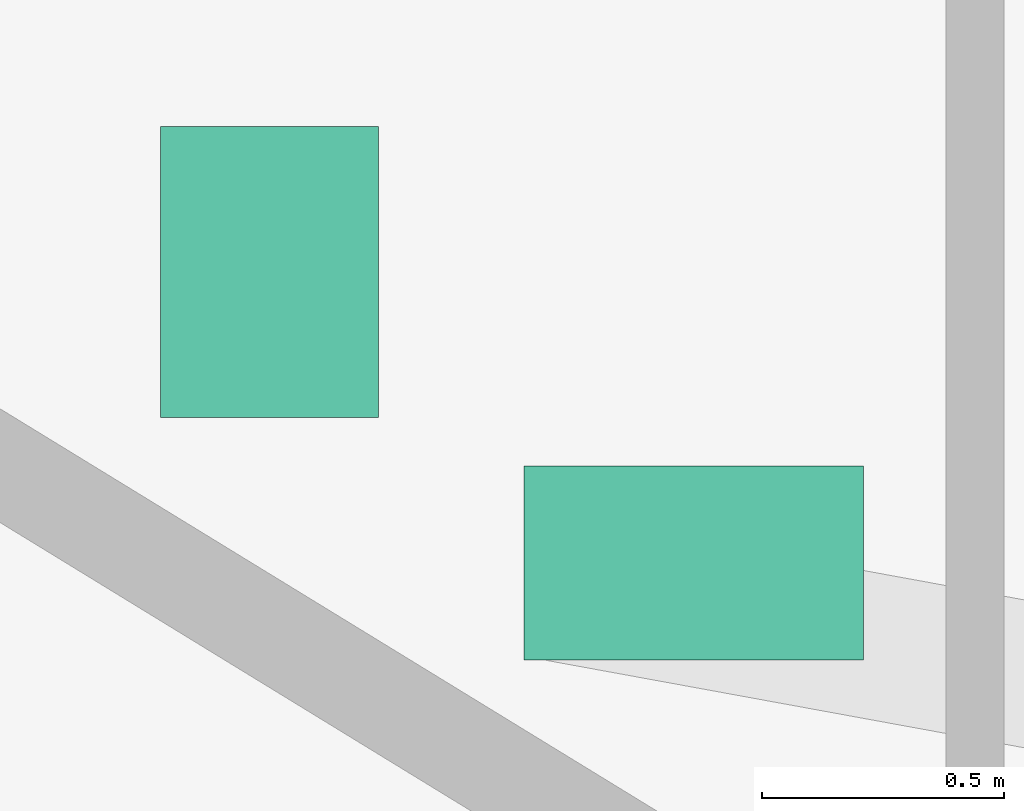
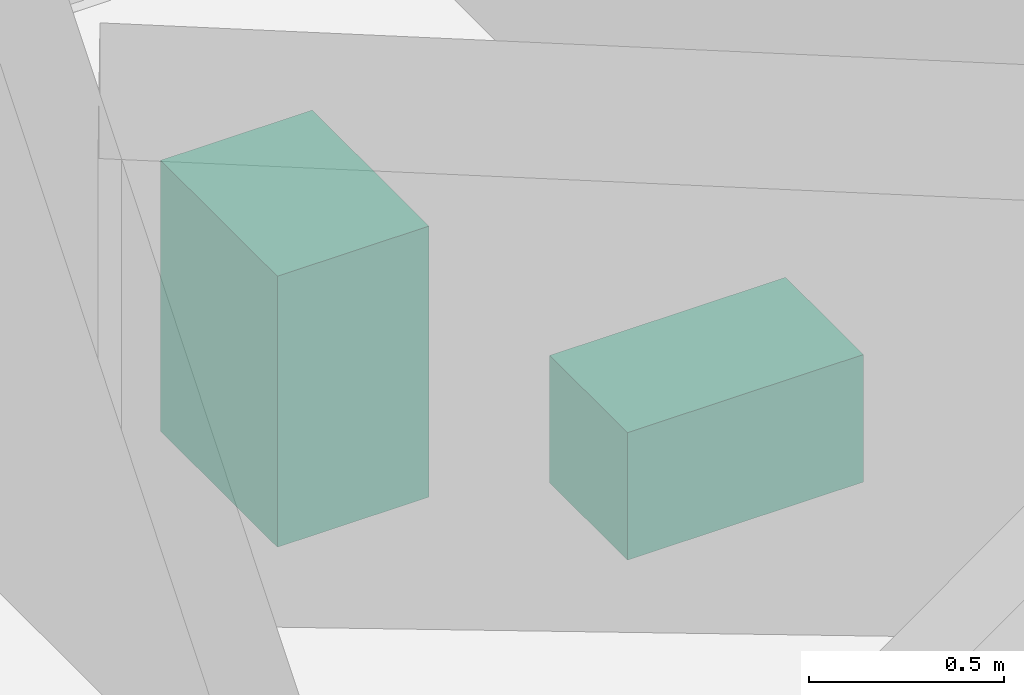
# One storey, part 11 of 11: 2 sanitary terminals.
"""IFC4 building model written with IfcOpenShell, lengths in metres."""

from ifc_helpers import new_model, si_unit, direction, frame, origin, origin_2d, place, context, subcontext, project, spatial, rectangle, extrude, element, save


model = new_model("IFC4")

# Units and contexts
model_context = context("Model", 3, precision=1e-05, world=origin(), true_north=direction((0.0, 1.0)))
body_context = subcontext(model_context, "Body", "Model", "MODEL_VIEW")
ifc_project = project(units=[si_unit("LENGTHUNIT", "METRE"), si_unit("AREAUNIT", "SQUARE_METRE"), si_unit("VOLUMEUNIT", "CUBIC_METRE"), si_unit("PLANEANGLEUNIT", "RADIAN"), si_unit("MASSUNIT", "GRAM", prefix="KILO")], contexts=[model_context])

# Site, building, storey
site_placement = place(None, origin())
site = spatial("IfcSite", under=ifc_project, at=site_placement, CompositionType="ELEMENT")
building_placement = place(site_placement, origin())
building = spatial("IfcBuilding", under=site, at=building_placement, Name="Hankou Lantern Tower", CompositionType="ELEMENT")
storey_placement = place(building_placement, frame((0.0, 0.0, 192.89990234375)))
storey = spatial("IfcBuildingStorey", under=building, at=storey_placement, Name="L51", CompositionType="ELEMENT", Elevation=192.89990234375)

# Sanitary terminals
sanitary_terminal_1_placement = place(storey_placement, frame((12.719970703125, -7.11376953125, 0.000244140625), z_axis=(0.0, 0.0, 1.0), x_axis=(0.0, 1.0, 0.0)))
element("IfcSanitaryTerminal", 1, at=sanitary_terminal_1_placement, inside=storey, Name="Accessible WC 5108 WC pan 1", PredefinedType="TOILETPAN", context=body_context, shape_type="SweptSolid", body=[
    extrude(rectangle(XDim=0.39990234375, YDim=0.699951171875, at=origin_2d()), origin(), (0.0, 0.0, 1.0), 0.39990234375),
])
sanitary_terminal_2_placement = place(storey_placement, frame((11.844970703125, -6.513671875, 0.0), z_axis=(0.0, 0.0, 1.0), x_axis=(0.0, 1.0, 0.0)))
element("IfcSanitaryTerminal", 2, at=sanitary_terminal_2_placement, inside=storey, Name="Accessible WC 5108 wash basin 1", PredefinedType="WASHHANDBASIN", context=body_context, shape_type="SweptSolid", body=[
    extrude(rectangle(XDim=0.60009765625, YDim=0.449951171875, at=origin_2d()), origin(), (0.0, 0.0, 1.0), 0.85009765625),
])

save(model, "model.ifc")
